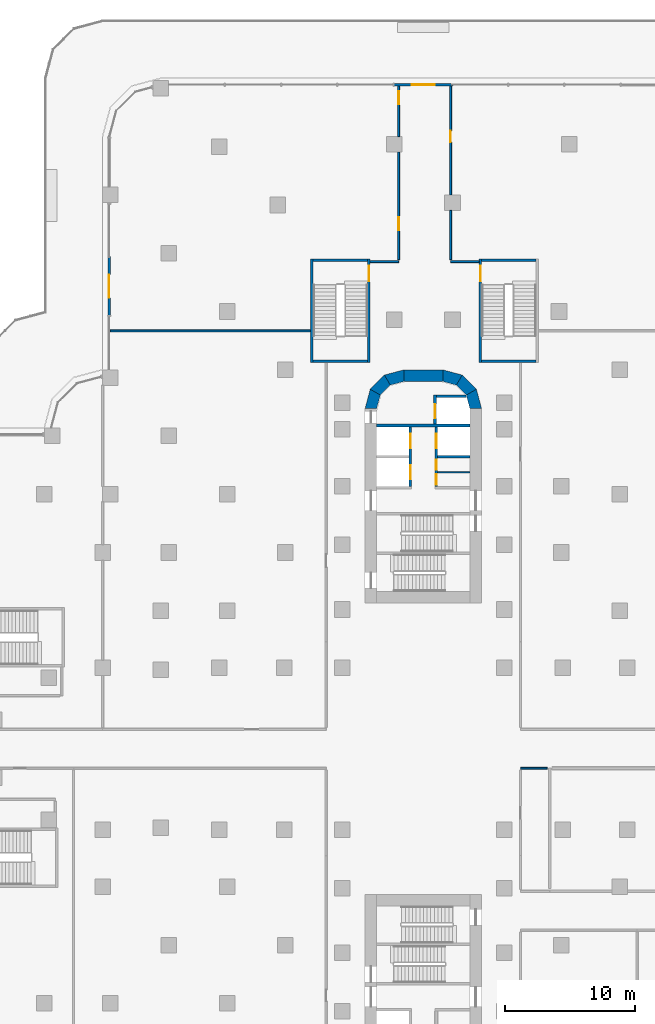
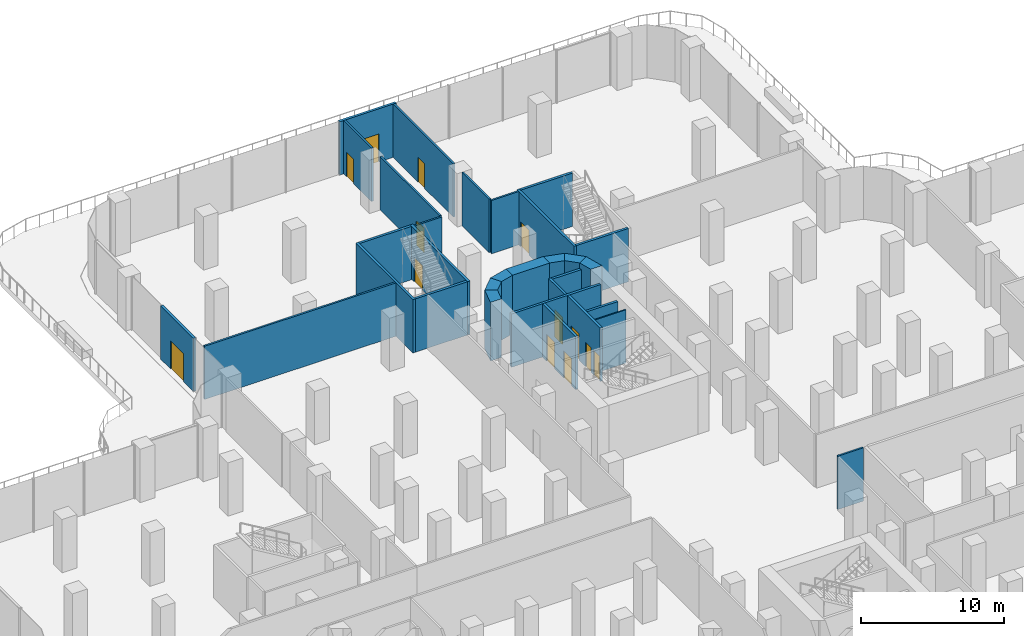
# One storey, part 21 of 30: 31 walls, 13 doors, 13 openings.
"""IFC4 building model written with IfcOpenShell, lengths in metres."""

from ifc_helpers import new_model, si_unit, direction, frame, frame_2d, origin, place, context, subcontext, project, spatial, polyline, rectangle, outline, extrude, material, layer, layer_set, type_object, element, fill, save


model = new_model("IFC4")

# Units and contexts
model_context = context("Model", 3, precision=1e-05, world=origin(), true_north=direction((0.0, 1.0)))
body_context = subcontext(model_context, "Body", "Model", "MODEL_VIEW")
ifc_project = project(units=[si_unit("LENGTHUNIT", "METRE"), si_unit("AREAUNIT", "SQUARE_METRE"), si_unit("VOLUMEUNIT", "CUBIC_METRE"), si_unit("PLANEANGLEUNIT", "RADIAN"), si_unit("MASSUNIT", "GRAM", prefix="KILO")], contexts=[model_context])

# Site, building, storey
site_placement = place(None, origin())
site = spatial("IfcSite", under=ifc_project, at=site_placement, CompositionType="ELEMENT")
building_placement = place(site_placement, origin())
building = spatial("IfcBuilding", under=site, at=building_placement, Name="Zarbagh Exchange Tower", CompositionType="ELEMENT")
storey_placement = place(building_placement, frame((0.0, 0.0, 7.0)))
storey = spatial("IfcBuildingStorey", under=building, at=storey_placement, Name="L01", CompositionType="ELEMENT", Elevation=7.0)

# Walls
ifc_material_1 = material(Name="Plasterboard partition")
ifc_layer_1 = layer(ifc_material_1, 0.14990234375)
ifc_layer_set_1 = layer_set([ifc_layer_1], Name="Board partition 150")
wall_type_1 = type_object("IfcWallType", Name="Board partition 150", PredefinedType="PARTITIONING", material=ifc_layer_set_1)
wall_1_placement = place(storey_placement, frame((-4.10009765625, 37.60009765625, 0.0), z_axis=(0.0, 0.0, 1.0), x_axis=(1.0, 0.0, 0.0)))
element("IfcWall", 1, at=wall_1_placement, inside=storey, type_object=wall_type_1, Name="WL-L01-W001", PredefinedType="PARTITIONING", context=body_context, shape_type="SweptSolid", body=[
    extrude(rectangle(XDim=2.2001953125, YDim=0.14990234375, at=frame_2d((1.10009765625, 0.0))), origin(), (0.0, 0.0, 1.0), 4.550048828125),
])
wall_2_placement = place(storey_placement, frame((2.10009765625, 37.60009765625, 0.0), z_axis=(0.0, 0.0, 1.0), x_axis=(1.0, 0.0, 0.0)))
element("IfcWall", 2, at=wall_2_placement, inside=storey, type_object=wall_type_1, Name="WL-L01-W002", PredefinedType="PARTITIONING", context=body_context, shape_type="SweptSolid", body=[
    extrude(rectangle(XDim=2.199951171875, YDim=0.14990234375, at=frame_2d((1.10009765625, 0.0))), origin(), (0.0, 0.0, 1.0), 4.550048828125),
])
wall_3_placement = place(storey_placement, frame((7.5, -1.5, 0.0), z_axis=(0.0, 0.0, 1.0), x_axis=(1.0, 0.0, 0.0)))
element("IfcWall", 3, at=wall_3_placement, inside=storey, type_object=wall_type_1, Name="WL-L01-W043", PredefinedType="PARTITIONING", context=body_context, shape_type="SweptSolid", body=[
    extrude(rectangle(XDim=2.050048828125, YDim=0.14990234375, at=frame_2d((1.02490234375, 0.0))), origin(), (0.0, 0.0, 1.0), 4.550048828125),
])

# Wall, opening, door
wall_4_placement = place(storey_placement, frame((2.10009765625, 51.14990234375, 0.0), z_axis=(0.0, 0.0, 1.0), x_axis=(0.0, -1.0, 0.0)))
wall_4 = element("IfcWall", 4, at=wall_4_placement, inside=storey, type_object=wall_type_1, Name="WL-L01-W079", PredefinedType="PARTITIONING", context=body_context, shape_type="SweptSolid", body=[
    extrude(rectangle(XDim=8.39990234375, YDim=0.14990234375, at=frame_2d((4.199951171875, 0.0))), origin(), (0.0, 0.0, 1.0), 4.550048828125),
])
opening_1_placement = place(wall_4_placement, frame((3.449951171875, 0.0, 0.0)))
opening_1 = element("IfcOpeningElement", 5, at=opening_1_placement, cuts=wall_4, Name="Opening D22", PredefinedType="OPENING", context=body_context, shape_type="SweptSolid", body=[
    extrude(rectangle(XDim=0.89990234375, YDim=2.10009765625, at=frame_2d((0.449951171875, 1.050048828125))), frame((0.0, 0.0849609375, 0.0), z_axis=(0.0, -1.0, 0.0), x_axis=(1.0, 0.0, 0.0)), (0.0, 0.0, 1.0), 0.169921875),
])
ifc_material_2 = material(Name="Timber door leaf", Category="wood")
door_type_1 = type_object("IfcDoorType", Name="Door single 900x2100", OperationType="SINGLE_SWING_LEFT", PredefinedType="DOOR", material=ifc_material_2)
door_1_placement = place(opening_1_placement, origin())
door_1 = element("IfcDoor", 6, at=door_1_placement, inside=storey, type_object=door_type_1, Name="D22", OperationType="SINGLE_SWING_LEFT", OverallHeight=2.10009765625, OverallWidth=0.89990234375, PredefinedType="DOOR", context=body_context, shape_type="SweptSolid", body=[
    extrude(rectangle(XDim=0.89990234375, YDim=2.10009765625, at=frame_2d((0.449951171875, 1.050048828125))), frame((0.0, 0.02490234375, 0.0), z_axis=(0.0, -1.0, 0.0), x_axis=(1.0, 0.0, 0.0)), (0.0, 0.0, 1.0), 0.050048828125),
])
fill(opening_1, door_1)

# Wall
wall_5_placement = place(storey_placement, frame((2.10009765625, 41.550048828125, 0.0), z_axis=(0.0, 0.0, 1.0), x_axis=(0.0, -1.0, 0.0)))
element("IfcWall", 7, at=wall_5_placement, inside=storey, type_object=wall_type_1, Name="WL-L01-W080", PredefinedType="PARTITIONING", context=body_context, shape_type="SweptSolid", body=[
    extrude(rectangle(XDim=3.800048828125, YDim=0.14990234375, at=frame_2d((1.89990234375, 0.0))), origin(), (0.0, 0.0, 1.0), 4.550048828125),
])

# Wall, opening, door
wall_6_placement = place(storey_placement, frame((-1.89990234375, 37.75, 0.0), z_axis=(0.0, 0.0, 1.0), x_axis=(0.0, 1.0, 0.0)))
wall_6 = element("IfcWall", 8, at=wall_6_placement, inside=storey, type_object=wall_type_1, Name="WL-L01-W081", PredefinedType="PARTITIONING", context=body_context, shape_type="SweptSolid", body=[
    extrude(rectangle(XDim=8.300048828125, YDim=0.14990234375, at=frame_2d((4.14990234375, 0.0))), origin(), (0.0, 0.0, 1.0), 4.550048828125),
])
opening_2_placement = place(wall_6_placement, frame((2.26708984375, 0.0, 0.0)))
opening_2 = element("IfcOpeningElement", 9, at=opening_2_placement, cuts=wall_6, Name="Opening D23", PredefinedType="OPENING", context=body_context, shape_type="SweptSolid", body=[
    extrude(rectangle(XDim=1.0, YDim=2.10009765625, at=frame_2d((0.5, 1.050048828125))), frame((0.0, 0.0849609375, 0.0), z_axis=(0.0, -1.0, 0.0), x_axis=(1.0, 0.0, 0.0)), (0.0, 0.0, 1.0), 0.169921875),
])
door_type_2 = type_object("IfcDoorType", Name="Door single 1000x2100", OperationType="SINGLE_SWING_LEFT", PredefinedType="DOOR", material=ifc_material_2)
door_2_placement = place(opening_2_placement, origin())
door_2 = element("IfcDoor", 10, at=door_2_placement, inside=storey, type_object=door_type_2, Name="D23", OperationType="SINGLE_SWING_LEFT", OverallHeight=2.10009765625, OverallWidth=1.0, PredefinedType="DOOR", context=body_context, shape_type="SweptSolid", body=[
    extrude(rectangle(XDim=1.0, YDim=2.10009765625, at=frame_2d((0.5, 1.050048828125))), frame((0.0, 0.02490234375, 0.0), z_axis=(0.0, -1.0, 0.0), x_axis=(1.0, 0.0, 0.0)), (0.0, 0.0, 1.0), 0.050048828125),
])
fill(opening_2, door_2)

wall_7_placement = place(storey_placement, frame((-1.89990234375, 47.25, 0.0), z_axis=(0.0, 0.0, 1.0), x_axis=(0.0, 1.0, 0.0)))
wall_7 = element("IfcWall", 11, at=wall_7_placement, inside=storey, type_object=wall_type_1, Name="WL-L01-W082", PredefinedType="PARTITIONING", context=body_context, shape_type="SweptSolid", body=[
    extrude(rectangle(XDim=3.89990234375, YDim=0.14990234375, at=frame_2d((1.949951171875, 0.0))), origin(), (0.0, 0.0, 1.0), 4.550048828125),
])
opening_3_placement = place(wall_7_placement, frame((2.5, 0.0, 0.0)))
opening_3 = element("IfcOpeningElement", 12, at=opening_3_placement, cuts=wall_7, Name="Opening D24", PredefinedType="OPENING", context=body_context, shape_type="SweptSolid", body=[
    extrude(rectangle(XDim=1.0, YDim=2.10009765625, at=frame_2d((0.5, 1.050048828125))), frame((0.0, 0.0849609375, 0.0), z_axis=(0.0, -1.0, 0.0), x_axis=(1.0, 0.0, 0.0)), (0.0, 0.0, 1.0), 0.169921875),
])
door_3_placement = place(opening_3_placement, origin())
door_3 = element("IfcDoor", 13, at=door_3_placement, inside=storey, type_object=door_type_2, Name="D24", OperationType="SINGLE_SWING_LEFT", OverallHeight=2.10009765625, OverallWidth=1.0, PredefinedType="DOOR", context=body_context, shape_type="SweptSolid", body=[
    extrude(rectangle(XDim=1.0, YDim=2.10009765625, at=frame_2d((0.5, 1.050048828125))), frame((0.0, 0.02490234375, 0.0), z_axis=(0.0, -1.0, 0.0), x_axis=(1.0, 0.0, 0.0)), (0.0, 0.0, 1.0), 0.050048828125),
])
fill(opening_3, door_3)

# Walls
wall_8_placement = place(storey_placement, frame((-24.14990234375, 32.25, 0.0), z_axis=(0.0, 0.0, 1.0), x_axis=(1.0, 0.0, 0.0)))
element("IfcWall", 14, at=wall_8_placement, inside=storey, type_object=wall_type_1, Name="WL-L01-W094", PredefinedType="PARTITIONING", context=body_context, shape_type="SweptSolid", body=[
    extrude(rectangle(XDim=15.449951171875, YDim=0.14990234375, at=frame_2d((7.72509765625, 0.0))), origin(), (0.0, 0.0, 1.0), 4.550048828125),
])
ifc_material_3 = material(Name="Dense blockwork", Category="masonry")
ifc_layer_2 = layer(ifc_material_3, 0.10009765625)
ifc_layer_set_2 = layer_set([ifc_layer_2], Name="Core partition 100 mm blockwork")
wall_type_2 = type_object("IfcWallType", Name="Core partition 100 mm blockwork", PredefinedType="PARTITIONING", material=ifc_layer_set_2)
wall_9_placement = place(storey_placement, frame((1.10009765625, 21.35009765625, 0.0), z_axis=(0.0, 0.0, 1.0), x_axis=(1.0, 0.0, 0.0)))
element("IfcWall", 15, at=wall_9_placement, inside=storey, type_object=wall_type_2, Name="North core partition wall CUT-E-700", PredefinedType="PARTITIONING", context=body_context, shape_type="SweptSolid", body=[
    extrude(rectangle(XDim=2.5, YDim=0.10009765625, at=frame_2d((1.25, 0.0))), origin(), (0.0, 0.0, 1.0), 4.550048828125),
])
ifc_material_4 = material(Name="Concrete C60/75", Category="concrete")
ifc_layer_3 = layer(ifc_material_4, 0.89990234375)
ifc_layer_set_3 = layer_set([ifc_layer_3], Name="RC core corner wall 900 C60/75")
wall_type_3 = type_object("IfcWallType", Name="RC core corner wall 900 C60/75", PredefinedType="SHEAR", material=ifc_layer_set_3)
wall_10_placement = place(storey_placement, origin())
element("IfcWall", 16, at=wall_10_placement, inside=storey, type_object=wall_type_3, Name="CW2 core N corner W", PredefinedType="SHEAR", context=body_context, shape_type="SweptSolid", body=[
    extrude(outline(polyline([(-4.5, 26.25), (-4.09814453125, 27.75), (-3.318603515625, 27.300048828125), (-3.60009765625, 26.25), (-4.5, 26.25)])), origin(), (0.0, 0.0, 1.0), 5.0),
])
wall_11_placement = place(storey_placement, origin())
element("IfcWall", 17, at=wall_11_placement, inside=storey, type_object=wall_type_3, Name="CW2 core N corner W", PredefinedType="SHEAR", context=body_context, shape_type="SweptSolid", body=[
    extrude(outline(polyline([(-4.09814453125, 27.75), (-3.0, 28.84814453125), (-2.550048828125, 28.068603515625), (-3.318603515625, 27.300048828125), (-4.09814453125, 27.75)])), origin(), (0.0, 0.0, 1.0), 5.0),
])
wall_12_placement = place(storey_placement, origin())
element("IfcWall", 18, at=wall_12_placement, inside=storey, type_object=wall_type_3, Name="CW2 core N corner W", PredefinedType="SHEAR", context=body_context, shape_type="SweptSolid", body=[
    extrude(outline(polyline([(-3.0, 28.84814453125), (-1.5, 29.25), (-1.5, 28.35009765625), (-2.550048828125, 28.068603515625), (-3.0, 28.84814453125)])), origin(), (0.0, 0.0, 1.0), 5.0),
])
wall_13_placement = place(storey_placement, origin())
element("IfcWall", 19, at=wall_13_placement, inside=storey, type_object=wall_type_3, Name="CW2 core N corner E", PredefinedType="SHEAR", context=body_context, shape_type="SweptSolid", body=[
    extrude(outline(polyline([(4.5, 26.25), (4.09814453125, 27.75), (3.318603515625, 27.300048828125), (3.60009765625, 26.25), (4.5, 26.25)])), origin(), (0.0, 0.0, 1.0), 5.0),
])
wall_14_placement = place(storey_placement, origin())
element("IfcWall", 20, at=wall_14_placement, inside=storey, type_object=wall_type_3, Name="CW2 core N corner E", PredefinedType="SHEAR", context=body_context, shape_type="SweptSolid", body=[
    extrude(outline(polyline([(4.09814453125, 27.75), (3.0, 28.84814453125), (2.550048828125, 28.068603515625), (3.318603515625, 27.300048828125), (4.09814453125, 27.75)])), origin(), (0.0, 0.0, 1.0), 5.0),
])
wall_15_placement = place(storey_placement, origin())
element("IfcWall", 21, at=wall_15_placement, inside=storey, type_object=wall_type_3, Name="CW2 core N corner E", PredefinedType="SHEAR", context=body_context, shape_type="SweptSolid", body=[
    extrude(outline(polyline([(3.0, 28.84814453125), (1.5, 29.25), (1.5, 28.35009765625), (2.550048828125, 28.068603515625), (3.0, 28.84814453125)])), origin(), (0.0, 0.0, 1.0), 5.0),
])
ifc_layer_4 = layer(ifc_material_4, 0.89990234375)
ifc_layer_set_4 = layer_set([ifc_layer_4], Name="RC core wall 900 C60/75")
wall_type_4 = type_object("IfcWallType", Name="RC core wall 900 C60/75", PredefinedType="SHEAR", material=ifc_layer_set_4)
wall_16_placement = place(storey_placement, frame((-1.5, 28.800048828125, 0.0), z_axis=(0.0, 0.0, 1.0), x_axis=(1.0, 0.0, 0.0)))
element("IfcWall", 22, at=wall_16_placement, inside=storey, type_object=wall_type_4, Name="CW1 core N outer end", PredefinedType="SHEAR", context=body_context, shape_type="SweptSolid", body=[
    extrude(rectangle(XDim=3.0, YDim=0.89990234375, at=frame_2d((1.5, 0.0))), origin(), (0.0, 0.0, 1.0), 5.0),
])

# Wall, openings, doors
ifc_layer_5 = layer(ifc_material_3, 0.199951171875)
ifc_layer_set_5 = layer_set([ifc_layer_5], Name="Shaft wall 200 mm blockwork")
wall_type_5 = type_object("IfcWallType", Name="Shaft wall 200 mm blockwork", PredefinedType="PARTITIONING", material=ifc_layer_set_5)
wall_17_placement = place(storey_placement, frame((-1.0, 24.85009765625, 0.0), z_axis=(0.0, 0.0, 1.0), x_axis=(0.0, -1.0, 0.0)))
wall_17 = element("IfcWall", 23, at=wall_17_placement, inside=storey, type_object=wall_type_5, Name="North core shaft wall LW-W", PredefinedType="PARTITIONING", context=body_context, shape_type="SweptSolid", body=[
    extrude(rectangle(XDim=4.60009765625, YDim=0.199951171875, at=frame_2d((2.300048828125, 0.0))), origin(), (0.0, 0.0, 1.0), 4.550048828125),
])
opening_4_placement = place(wall_17_placement, frame((0.550048828125, 0.0, 0.0)))
opening_4 = element("IfcOpeningElement", 24, at=opening_4_placement, cuts=wall_17, Name="Opening LD-1100", PredefinedType="OPENING", context=body_context, shape_type="SweptSolid", body=[
    extrude(rectangle(XDim=1.10009765625, YDim=2.300048828125, at=frame_2d((0.550048828125, 1.14990234375))), frame((0.0, 0.10986328125, 0.0), z_axis=(0.0, -1.0, 0.0), x_axis=(1.0, 0.0, 0.0)), (0.0, 0.0, 1.0), 0.219970703125),
])
opening_5_placement = place(wall_17_placement, frame((2.949951171875, 0.0, 0.0)))
opening_5 = element("IfcOpeningElement", 25, at=opening_5_placement, cuts=wall_17, Name="Opening LD-1100", PredefinedType="OPENING", context=body_context, shape_type="SweptSolid", body=[
    extrude(rectangle(XDim=1.10009765625, YDim=2.300048828125, at=frame_2d((0.550048828125, 1.14990234375))), frame((0.0, 0.10986328125, 0.0), z_axis=(0.0, -1.0, 0.0), x_axis=(1.0, 0.0, 0.0)), (0.0, 0.0, 1.0), 0.219970703125),
])
ifc_material_5 = material(Name="Stainless steel", Category="steel")
door_type_3 = type_object("IfcDoorType", Name="Lift landing door 1100 x 2300", OperationType="NOTDEFINED", PredefinedType="DOOR", material=ifc_material_5)
door_4_placement = place(opening_4_placement, origin())
door_4 = element("IfcDoor", 26, at=door_4_placement, inside=storey, type_object=door_type_3, Name="North core lift landing door LD-P-N1", OperationType="DOUBLE_DOOR_SLIDING", OverallHeight=2.300048828125, OverallWidth=1.10009765625, PredefinedType="DOOR", context=body_context, shape_type="SweptSolid", body=[
    extrude(rectangle(XDim=1.10009765625, YDim=2.300048828125, at=frame_2d((0.550048828125, 1.14990234375))), frame((0.0, 0.02490234375, 0.0), z_axis=(0.0, -1.0, 0.0), x_axis=(1.0, 0.0, 0.0)), (0.0, 0.0, 1.0), 0.050048828125),
])
fill(opening_4, door_4)
door_5_placement = place(opening_5_placement, origin())
door_5 = element("IfcDoor", 27, at=door_5_placement, inside=storey, type_object=door_type_3, Name="North core lift landing door LD-P-N2", OperationType="DOUBLE_DOOR_SLIDING", OverallHeight=2.300048828125, OverallWidth=1.10009765625, PredefinedType="DOOR", context=body_context, shape_type="SweptSolid", body=[
    extrude(rectangle(XDim=1.10009765625, YDim=2.300048828125, at=frame_2d((0.550048828125, 1.14990234375))), frame((0.0, 0.02490234375, 0.0), z_axis=(0.0, -1.0, 0.0), x_axis=(1.0, 0.0, 0.0)), (0.0, 0.0, 1.0), 0.050048828125),
])
fill(opening_5, door_5)

wall_18_placement = place(storey_placement, frame((1.0, 24.85009765625, 0.0), z_axis=(0.0, 0.0, 1.0), x_axis=(0.0, -1.0, 0.0)))
wall_18 = element("IfcWall", 28, at=wall_18_placement, inside=storey, type_object=wall_type_5, Name="North core shaft wall LW-E", PredefinedType="PARTITIONING", context=body_context, shape_type="SweptSolid", body=[
    extrude(rectangle(XDim=4.60009765625, YDim=0.199951171875, at=frame_2d((2.300048828125, 0.0))), origin(), (0.0, 0.0, 1.0), 4.550048828125),
])
opening_6_placement = place(wall_18_placement, frame((0.550048828125, 0.0, 0.0)))
opening_6 = element("IfcOpeningElement", 29, at=opening_6_placement, cuts=wall_18, Name="Opening LD-1100", PredefinedType="OPENING", context=body_context, shape_type="SweptSolid", body=[
    extrude(rectangle(XDim=1.10009765625, YDim=2.300048828125, at=frame_2d((0.550048828125, 1.14990234375))), frame((0.0, 0.10986328125, 0.0), z_axis=(0.0, -1.0, 0.0), x_axis=(1.0, 0.0, 0.0)), (0.0, 0.0, 1.0), 0.219970703125),
])
opening_7_placement = place(wall_18_placement, frame((2.52490234375, 0.0, 0.0)))
opening_7 = element("IfcOpeningElement", 30, at=opening_7_placement, cuts=wall_18, Name="Opening CD3-800", PredefinedType="OPENING", context=body_context, shape_type="SweptSolid", body=[
    extrude(rectangle(XDim=0.800048828125, YDim=2.10009765625, at=frame_2d((0.39990234375, 1.050048828125))), frame((0.0, 0.10986328125, 0.0), z_axis=(0.0, -1.0, 0.0), x_axis=(1.0, 0.0, 0.0)), (0.0, 0.0, 1.0), 0.219970703125),
])
opening_8_placement = place(wall_18_placement, frame((3.675048828125, 0.0, 0.0)))
opening_8 = element("IfcOpeningElement", 31, at=opening_8_placement, cuts=wall_18, Name="Opening CD3-800", PredefinedType="OPENING", context=body_context, shape_type="SweptSolid", body=[
    extrude(rectangle(XDim=0.800048828125, YDim=2.10009765625, at=frame_2d((0.39990234375, 1.050048828125))), frame((0.0, 0.10986328125, 0.0), z_axis=(0.0, -1.0, 0.0), x_axis=(1.0, 0.0, 0.0)), (0.0, 0.0, 1.0), 0.219970703125),
])
ifc_material_6 = material(Name="Steel", Category="steel")
door_type_4 = type_object("IfcDoorType", Name="Core room door 800 x 2100", OperationType="NOTDEFINED", PredefinedType="DOOR", material=ifc_material_6)
door_6_placement = place(opening_7_placement, origin())
door_6 = element("IfcDoor", 32, at=door_6_placement, inside=storey, type_object=door_type_4, Name="North core Store door RD-E-0", OperationType="SINGLE_SWING_RIGHT", OverallHeight=2.10009765625, OverallWidth=0.800048828125, PredefinedType="DOOR", context=body_context, shape_type="SweptSolid", body=[
    extrude(rectangle(XDim=0.800048828125, YDim=2.10009765625, at=frame_2d((0.39990234375, 1.050048828125))), frame((0.0, 0.02490234375, 0.0), z_axis=(0.0, -1.0, 0.0), x_axis=(1.0, 0.0, 0.0)), (0.0, 0.0, 1.0), 0.050048828125),
])
fill(opening_7, door_6)
door_7_placement = place(opening_8_placement, origin())
door_7 = element("IfcDoor", 33, at=door_7_placement, inside=storey, type_object=door_type_4, Name="North core IT room door RD-E-1", OperationType="SINGLE_SWING_LEFT", OverallHeight=2.10009765625, OverallWidth=0.800048828125, PredefinedType="DOOR", context=body_context, shape_type="SweptSolid", body=[
    extrude(rectangle(XDim=0.800048828125, YDim=2.10009765625, at=frame_2d((0.39990234375, 1.050048828125))), frame((0.0, 0.02490234375, 0.0), z_axis=(0.0, -1.0, 0.0), x_axis=(1.0, 0.0, 0.0)), (0.0, 0.0, 1.0), 0.050048828125),
])
fill(opening_8, door_7)
door_8_placement = place(opening_6_placement, origin())
door_8 = element("IfcDoor", 34, at=door_8_placement, inside=storey, type_object=door_type_3, Name="North core lift landing door LD-P-N3", OperationType="DOUBLE_DOOR_SLIDING", OverallHeight=2.300048828125, OverallWidth=1.10009765625, PredefinedType="DOOR", context=body_context, shape_type="SweptSolid", body=[
    extrude(rectangle(XDim=1.10009765625, YDim=2.300048828125, at=frame_2d((0.550048828125, 1.14990234375))), frame((0.0, 0.02490234375, 0.0), z_axis=(0.0, -1.0, 0.0), x_axis=(1.0, 0.0, 0.0)), (0.0, 0.0, 1.0), 0.050048828125),
])
fill(opening_6, door_8)

# Walls
wall_19_placement = place(storey_placement, frame((1.10009765625, 22.550048828125, 0.0), z_axis=(0.0, 0.0, 1.0), x_axis=(1.0, 0.0, 0.0)))
element("IfcWall", 35, at=wall_19_placement, inside=storey, type_object=wall_type_5, Name="North core shaft wall TR-E", PredefinedType="PARTITIONING", context=body_context, shape_type="SweptSolid", body=[
    extrude(rectangle(XDim=2.5, YDim=0.199951171875, at=frame_2d((1.25, 0.0))), origin(), (0.0, 0.0, 1.0), 4.550048828125),
])
ifc_material_7 = material(Name="Concrete C40/50", Category="concrete")
ifc_layer_6 = layer(ifc_material_7, 0.199951171875)
ifc_layer_set_6 = layer_set([ifc_layer_6], Name="Stair enclosure wall 200 mm RC C40/50")
wall_type_6 = type_object("IfcWallType", Name="Stair enclosure wall 200 mm RC C40/50", PredefinedType="SHEAR", material=ifc_layer_set_6)
wall_20_placement = place(storey_placement, frame((-3.60009765625, 24.949951171875, 0.0), z_axis=(0.0, 0.0, 1.0), x_axis=(1.0, 0.0, 0.0)))
element("IfcWall", 36, at=wall_20_placement, inside=storey, type_object=wall_type_6, Name="North core lift shaft wall FFA", PredefinedType="SHEAR", context=body_context, shape_type="SweptSolid", body=[
    extrude(rectangle(XDim=7.2001953125, YDim=0.199951171875, at=frame_2d((3.60009765625, 0.0))), origin(), (0.0, 0.0, 1.0), 4.550048828125),
])

# Wall, opening, door
wall_21_placement = place(storey_placement, frame((0.89990234375, 27.300048828125, 0.0), z_axis=(0.0, 0.0, 1.0), x_axis=(0.0, -1.0, 0.0)))
wall_21 = element("IfcWall", 37, at=wall_21_placement, inside=storey, type_object=wall_type_6, Name="North core lift shaft wall FFL", PredefinedType="SHEAR", context=body_context, shape_type="SweptSolid", body=[
    extrude(rectangle(XDim=2.25, YDim=0.199951171875, at=frame_2d((1.125, 0.0))), origin(), (0.0, 0.0, 1.0), 4.550048828125),
])
opening_9_placement = place(wall_21_placement, frame((0.699951171875, 0.0, 0.0)))
opening_9 = element("IfcOpeningElement", 38, at=opening_9_placement, cuts=wall_21, Name="Opening LD-1100", PredefinedType="OPENING", context=body_context, shape_type="SweptSolid", body=[
    extrude(rectangle(XDim=1.10009765625, YDim=2.300048828125, at=frame_2d((0.550048828125, 1.14990234375))), frame((0.0, 0.10986328125, 0.0), z_axis=(0.0, -1.0, 0.0), x_axis=(1.0, 0.0, 0.0)), (0.0, 0.0, 1.0), 0.219970703125),
])
door_9_placement = place(opening_9_placement, origin())
door_9 = element("IfcDoor", 39, at=door_9_placement, inside=storey, type_object=door_type_3, Name="North core lift landing door LD-F", OperationType="DOUBLE_DOOR_SLIDING", OverallHeight=2.300048828125, OverallWidth=1.10009765625, PredefinedType="DOOR", context=body_context, shape_type="SweptSolid", body=[
    extrude(rectangle(XDim=1.10009765625, YDim=2.300048828125, at=frame_2d((0.550048828125, 1.14990234375))), frame((0.0, 0.02490234375, 0.0), z_axis=(0.0, -1.0, 0.0), x_axis=(1.0, 0.0, 0.0)), (0.0, 0.0, 1.0), 0.050048828125),
])
fill(opening_9, door_9)

# Walls
wall_22_placement = place(storey_placement, origin())
element("IfcWall", 40, at=wall_22_placement, inside=storey, type_object=wall_type_6, Name="North core lift shaft wall FFX", PredefinedType="SHEAR", context=body_context, shape_type="SweptSolid", body=[
    extrude(outline(polyline([(1.0, 27.10009765625), (3.340576171875, 27.10009765625), (3.291259765625, 27.2841796875), (3.275390625, 27.300048828125), (1.0, 27.300048828125), (1.0, 27.10009765625)])), origin(), (0.0, 0.0, 1.0), 4.550048828125),
])
wall_23_placement = place(storey_placement, frame((-8.60009765625, 29.800048828125, 0.0), z_axis=(0.0, 0.0, 1.0), x_axis=(0.0, 1.0, 0.0)))
element("IfcWall", 41, at=wall_23_placement, inside=storey, type_object=wall_type_6, Name="Exit stair PS1 enclosure wall W", PredefinedType="SHEAR", context=body_context, shape_type="SweptSolid", body=[
    extrude(rectangle(XDim=8.0, YDim=0.199951171875, at=frame_2d((4.0, 0.0))), origin(), (0.0, 0.0, 1.0), 4.550048828125),
])

# Wall, opening, door
wall_24_placement = place(storey_placement, frame((-4.199951171875, 29.800048828125, 0.0), z_axis=(0.0, 0.0, 1.0), x_axis=(0.0, 1.0, 0.0)))
wall_24 = element("IfcWall", 42, at=wall_24_placement, inside=storey, type_object=wall_type_6, Name="Exit stair PS1 enclosure wall E", PredefinedType="SHEAR", context=body_context, shape_type="SweptSolid", body=[
    extrude(rectangle(XDim=8.0, YDim=0.199951171875, at=frame_2d((4.0, 0.0))), origin(), (0.0, 0.0, 1.0), 4.550048828125),
])
opening_10_placement = place(wall_24_placement, frame((6.300048828125, 0.0, 0.0)))
opening_10 = element("IfcOpeningElement", 43, at=opening_10_placement, cuts=wall_24, Name="Opening SD1-1200", PredefinedType="OPENING", context=body_context, shape_type="SweptSolid", body=[
    extrude(rectangle(XDim=1.199951171875, YDim=2.10009765625, at=frame_2d((0.60009765625, 1.050048828125))), frame((0.0, 0.10986328125, 0.0), z_axis=(0.0, -1.0, 0.0), x_axis=(1.0, 0.0, 0.0)), (0.0, 0.0, 1.0), 0.219970703125),
])
door_type_5 = type_object("IfcDoorType", Name="Exit stair door 1200 x 2100", OperationType="NOTDEFINED", PredefinedType="DOOR", material=ifc_material_6)
door_10_placement = place(opening_10_placement, origin())
door_10 = element("IfcDoor", 44, at=door_10_placement, inside=storey, type_object=door_type_5, Name="Exit stair PS1 entry door", OperationType="SINGLE_SWING_RIGHT", OverallHeight=2.10009765625, OverallWidth=1.199951171875, PredefinedType="DOOR", context=body_context, shape_type="SweptSolid", body=[
    extrude(rectangle(XDim=1.199951171875, YDim=2.10009765625, at=frame_2d((0.60009765625, 1.050048828125))), frame((0.0, 0.02490234375, 0.0), z_axis=(0.0, -1.0, 0.0), x_axis=(1.0, 0.0, 0.0)), (0.0, 0.0, 1.0), 0.050048828125),
])
fill(opening_10, door_10)

# Walls
for number, where, z_axis, x_axis, name in (
    (45, (-8.5, 29.89990234375, 0.0), (0.0, 0.0, 1.0), (1.0, 0.0, 0.0), "Exit stair PS1 enclosure wall S"),
    (46, (-8.5, 37.699951171875, 0.0), (0.0, 0.0, 1.0), (1.0, 0.0, 0.0), "Exit stair PS1 enclosure wall N"),
):
    element("IfcWall", number, at=place(storey_placement, frame(where, z_axis=z_axis, x_axis=x_axis)), inside=storey, type_object=wall_type_6, Name=name, PredefinedType="SHEAR", context=body_context, shape_type="SweptSolid", body=[
        extrude(rectangle(XDim=4.199951171875, YDim=0.199951171875, at=frame_2d((2.10009765625, 0.0))), origin(), (0.0, 0.0, 1.0), 4.550048828125),
    ])

# Wall, opening, door
wall_25_placement = place(storey_placement, frame((4.39990234375, 29.800048828125, 0.0), z_axis=(0.0, 0.0, 1.0), x_axis=(0.0, 1.0, 0.0)))
wall_25 = element("IfcWall", 47, at=wall_25_placement, inside=storey, type_object=wall_type_6, Name="Exit stair PS2 enclosure wall W", PredefinedType="SHEAR", context=body_context, shape_type="SweptSolid", body=[
    extrude(rectangle(XDim=8.0, YDim=0.199951171875, at=frame_2d((4.0, 0.0))), origin(), (0.0, 0.0, 1.0), 4.550048828125),
])
opening_11_placement = place(wall_25_placement, frame((6.300048828125, 0.0, 0.0)))
opening_11 = element("IfcOpeningElement", 48, at=opening_11_placement, cuts=wall_25, Name="Opening SD1-1200", PredefinedType="OPENING", context=body_context, shape_type="SweptSolid", body=[
    extrude(rectangle(XDim=1.199951171875, YDim=2.10009765625, at=frame_2d((0.60009765625, 1.050048828125))), frame((0.0, 0.10986328125, 0.0), z_axis=(0.0, -1.0, 0.0), x_axis=(1.0, 0.0, 0.0)), (0.0, 0.0, 1.0), 0.219970703125),
])
door_11_placement = place(opening_11_placement, origin())
door_11 = element("IfcDoor", 49, at=door_11_placement, inside=storey, type_object=door_type_5, Name="Exit stair PS2 entry door", OperationType="SINGLE_SWING_LEFT", OverallHeight=2.10009765625, OverallWidth=1.199951171875, PredefinedType="DOOR", context=body_context, shape_type="SweptSolid", body=[
    extrude(rectangle(XDim=1.199951171875, YDim=2.10009765625, at=frame_2d((0.60009765625, 1.050048828125))), frame((0.0, 0.02490234375, 0.0), z_axis=(0.0, -1.0, 0.0), x_axis=(1.0, 0.0, 0.0)), (0.0, 0.0, 1.0), 0.050048828125),
])
fill(opening_11, door_11)

# Walls
for number, where, z_axis, x_axis, name in (
    (50, (4.5, 29.89990234375, 0.0), (0.0, 0.0, 1.0), (1.0, 0.0, 0.0), "Exit stair PS2 enclosure wall S"),
    (51, (4.5, 37.699951171875, 0.0), (0.0, 0.0, 1.0), (1.0, 0.0, 0.0), "Exit stair PS2 enclosure wall N"),
):
    element("IfcWall", number, at=place(storey_placement, frame(where, z_axis=z_axis, x_axis=x_axis)), inside=storey, type_object=wall_type_6, Name=name, PredefinedType="SHEAR", context=body_context, shape_type="SweptSolid", body=[
        extrude(rectangle(XDim=4.199951171875, YDim=0.199951171875, at=frame_2d((2.10009765625, 0.0))), origin(), (0.0, 0.0, 1.0), 4.550048828125),
    ])

# Wall, opening, door
ifc_material_8 = material(Name="Precast concrete C50/60", Category="concrete")
ifc_layer_7 = layer(ifc_material_8, 0.199951171875)
ifc_layer_set_7 = layer_set([ifc_layer_7], Name="Terrace door wall, precast concrete C50/60")
wall_type_7 = type_object("IfcWallType", Name="Terrace door wall, precast concrete C50/60", PredefinedType="SOLIDWALL", material=ifc_layer_set_7)
wall_26_placement = place(storey_placement, frame((2.2900390625, 51.25, 0.0), z_axis=(0.0, 0.0, 1.0), x_axis=(-1.0, 0.0, 0.0)))
wall_26 = element("IfcWall", 52, at=wall_26_placement, inside=storey, type_object=wall_type_7, Name="TW05 door wall", PredefinedType="SOLIDWALL", context=body_context, shape_type="SweptSolid", body=[
    extrude(rectangle(XDim=4.580078125, YDim=0.199951171875, at=frame_2d((2.2900390625, 0.0))), origin(), (0.0, 0.0, 1.0), 4.550048828125),
])
opening_12_placement = place(wall_26_placement, frame((1.389892578125, 0.0, 0.0)))
opening_12 = element("IfcOpeningElement", 53, at=opening_12_placement, cuts=wall_26, Name="Opening TD03", PredefinedType="OPENING", context=body_context, shape_type="SweptSolid", body=[
    extrude(rectangle(XDim=1.800048828125, YDim=2.39990234375, at=frame_2d((0.89990234375, 1.199951171875))), frame((0.0, 0.10986328125, 0.0), z_axis=(0.0, -1.0, 0.0), x_axis=(1.0, 0.0, 0.0)), (0.0, 0.0, 1.0), 0.219970703125),
])
ifc_material_9 = material(Name="Anodised aluminium and glass", Category="aluminium")
door_type_6 = type_object("IfcDoorType", Name="Terrace door, double leaf, aluminium and glass", OperationType="DOUBLE_DOOR_DOUBLE_SWING", PredefinedType="DOOR", material=ifc_material_9)
door_12_placement = place(opening_12_placement, origin())
door_12 = element("IfcDoor", 54, at=door_12_placement, inside=storey, type_object=door_type_6, Name="TD03 terrace door", OperationType="SINGLE_SWING_LEFT", OverallHeight=2.39990234375, OverallWidth=1.800048828125, PredefinedType="DOOR", context=body_context, shape_type="SweptSolid", body=[
    extrude(rectangle(XDim=1.800048828125, YDim=2.39990234375, at=frame_2d((0.89990234375, 1.199951171875))), frame((0.0, 0.02490234375, 0.0), z_axis=(0.0, -1.0, 0.0), x_axis=(1.0, 0.0, 0.0)), (0.0, 0.0, 1.0), 0.050048828125),
])
fill(opening_12, door_12)

wall_27_placement = place(storey_placement, frame((-24.25, 37.989990234375, 0.0), z_axis=(0.0, 0.0, 1.0), x_axis=(0.0, -1.0, 0.0)))
wall_27 = element("IfcWall", 55, at=wall_27_placement, inside=storey, type_object=wall_type_7, Name="TW06 door wall", PredefinedType="SOLIDWALL", context=body_context, shape_type="SweptSolid", body=[
    extrude(rectangle(XDim=4.580078125, YDim=0.199951171875, at=frame_2d((2.2900390625, 0.0))), origin(), (0.0, 0.0, 1.0), 4.550048828125),
])
opening_13_placement = place(wall_27_placement, frame((1.389892578125, 0.0, 0.0)))
opening_13 = element("IfcOpeningElement", 56, at=opening_13_placement, cuts=wall_27, Name="Opening TD03", PredefinedType="OPENING", context=body_context, shape_type="SweptSolid", body=[
    extrude(rectangle(XDim=1.800048828125, YDim=2.39990234375, at=frame_2d((0.89990234375, 1.199951171875))), frame((0.0, 0.10986328125, 0.0), z_axis=(0.0, -1.0, 0.0), x_axis=(1.0, 0.0, 0.0)), (0.0, 0.0, 1.0), 0.219970703125),
])
door_13_placement = place(opening_13_placement, origin())
door_13 = element("IfcDoor", 57, at=door_13_placement, inside=storey, type_object=door_type_6, Name="TD03 terrace door", OperationType="SINGLE_SWING_LEFT", OverallHeight=2.39990234375, OverallWidth=1.800048828125, PredefinedType="DOOR", context=body_context, shape_type="SweptSolid", body=[
    extrude(rectangle(XDim=1.800048828125, YDim=2.39990234375, at=frame_2d((0.89990234375, 1.199951171875))), frame((0.0, 0.02490234375, 0.0), z_axis=(0.0, -1.0, 0.0), x_axis=(1.0, 0.0, 0.0)), (0.0, 0.0, 1.0), 0.050048828125),
])
fill(opening_13, door_13)

save(model, "model.ifc")
